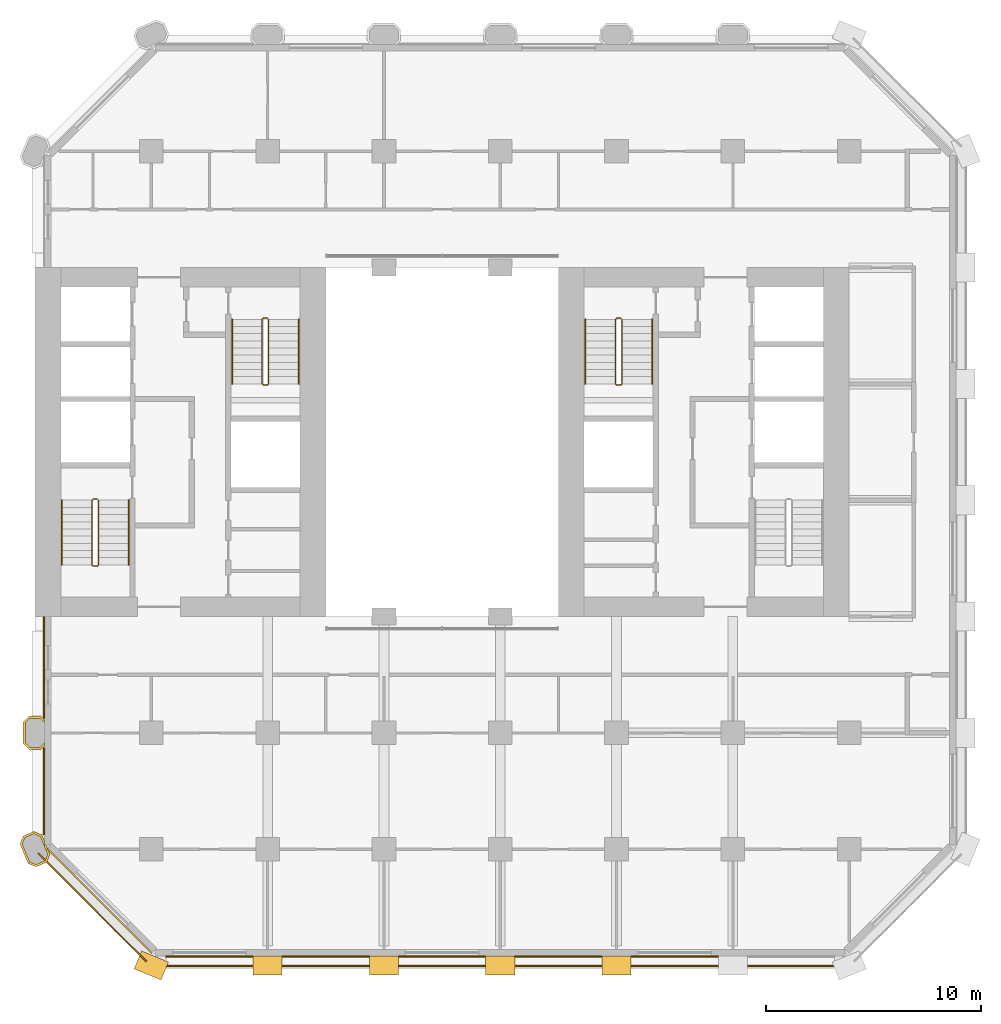
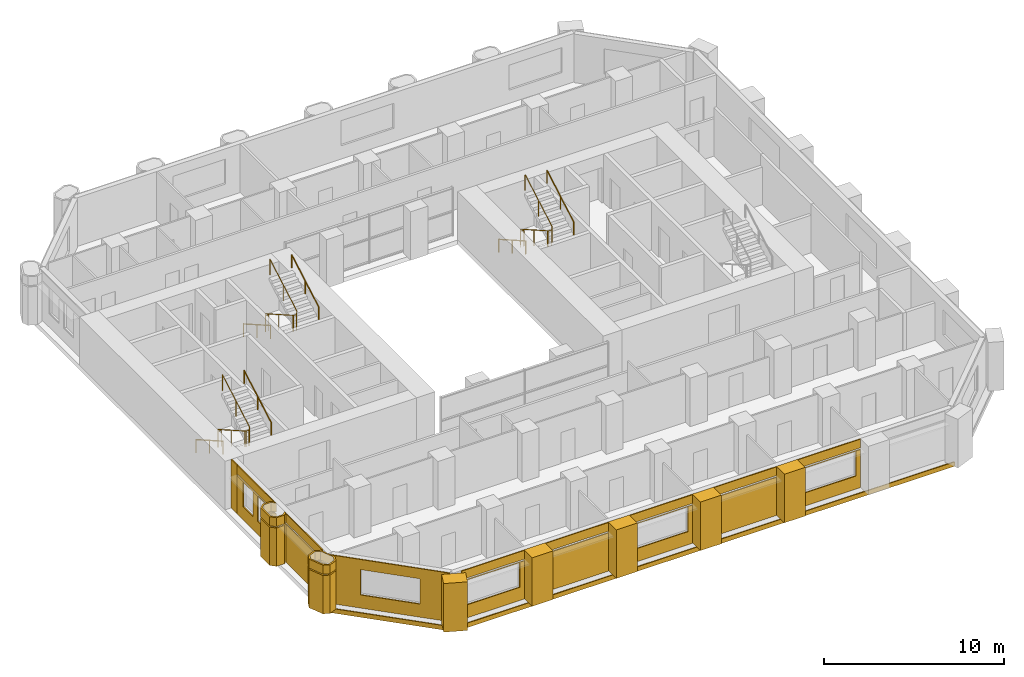
# One storey, part 12 of 13: 27 coverings, 9 railings.
"""IFC4 building model written with IfcOpenShell, lengths in metres."""

from ifc_helpers import new_model, si_unit, direction, frame, frame_2d, origin, origin_2d, place, context, subcontext, project, spatial, polyline, rectangle, circle, outline, extrude, material, layer, layer_set, type_object, element, save


model = new_model("IFC4")

# Units and contexts
model_context = context("Model", 3, precision=1e-05, world=origin(), true_north=direction((0.0, 1.0)))
body_context = subcontext(model_context, "Body", "Model", "MODEL_VIEW")
ifc_project = project(units=[si_unit("LENGTHUNIT", "METRE"), si_unit("AREAUNIT", "SQUARE_METRE"), si_unit("VOLUMEUNIT", "CUBIC_METRE"), si_unit("PLANEANGLEUNIT", "RADIAN"), si_unit("MASSUNIT", "GRAM", prefix="KILO")], contexts=[model_context])

# Site, building, storey
site_placement = place(None, origin())
site = spatial("IfcSite", under=ifc_project, at=site_placement, CompositionType="ELEMENT")
building_placement = place(site_placement, origin())
building = spatial("IfcBuilding", under=site, at=building_placement, Name="Tabaq Tower and Sports Hall", CompositionType="ELEMENT")
storey_placement = place(building_placement, frame((0.0, 0.0, 56.39990234375)))
storey = spatial("IfcBuildingStorey", under=building, at=storey_placement, Name="L12", CompositionType="ELEMENT", Elevation=56.39990234375)

# Coverings
ifc_material_1 = material(Name="Precast concrete C60/75", Category="concrete")
ifc_layer_1 = layer(ifc_material_1, 0.10009765625)
ifc_layer_set_1 = layer_set([ifc_layer_1], Name="Column cladding 100")
covering_type_1 = type_object("IfcCoveringType", Name="Column cladding 100", PredefinedType="CLADDING", material=ifc_layer_set_1)
covering_1_placement = place(storey_placement, origin())
element("IfcCovering", 1, at=covering_1_placement, inside=storey, type_object=covering_type_1, Name="Column cladding L12 PC-2B-O1", PredefinedType="CLADDING", context=body_context, shape_type="SweptSolid", body=[
    extrude(outline(polyline([(5.450439453125, 4.582275390625), (5.080078125, 4.73583984375), (4.7041015625, 5.6435546875), (4.857421875, 6.013916015625), (5.349609375, 6.217529296875), (5.7197265625, 6.064208984375), (5.849609375, 5.750732421875), (5.849609375, 5.586181640625), (5.91796875, 5.586181640625), (5.9814453125, 5.432373046875), (5.9501953125, 5.401123046875), (6.026123046875, 5.3251953125), (6.095947265625, 5.156494140625), (5.9423828125, 4.7861328125), (5.450439453125, 4.582275390625)]), holes=[polyline([(5.349609375, 6.110107421875), (4.93359375, 5.937744140625), (4.811767578125, 5.6435546875), (5.15625, 4.811767578125), (5.450439453125, 4.68994140625), (5.866455078125, 4.8623046875), (5.98828125, 5.156494140625), (5.643798828125, 5.98828125), (5.349609375, 6.110107421875)])]), origin(), (0.0, 0.0, 1.0), 2.60009765625),
])
covering_2_placement = place(storey_placement, frame((0.0, 0.0, 2.7001953125)))
element("IfcCovering", 2, at=covering_2_placement, inside=storey, type_object=covering_type_1, Name="Column cladding L12 PC-2B-O1 2", PredefinedType="CLADDING", context=body_context, shape_type="SweptSolid", body=[
    extrude(outline(polyline([(5.450439453125, 4.582275390625), (5.080078125, 4.73583984375), (4.7041015625, 5.6435546875), (4.857421875, 6.013916015625), (5.349609375, 6.217529296875), (5.7197265625, 6.064208984375), (5.849609375, 5.750732421875), (5.849609375, 5.586181640625), (5.91796875, 5.586181640625), (5.9814453125, 5.432373046875), (5.9501953125, 5.401123046875), (6.026123046875, 5.3251953125), (6.095947265625, 5.156494140625), (5.9423828125, 4.7861328125), (5.450439453125, 4.582275390625)]), holes=[polyline([(5.349609375, 6.110107421875), (4.93359375, 5.937744140625), (4.811767578125, 5.6435546875), (5.15625, 4.811767578125), (5.450439453125, 4.68994140625), (5.866455078125, 4.8623046875), (5.98828125, 5.156494140625), (5.643798828125, 5.98828125), (5.349609375, 6.110107421875)])]), origin(), (0.0, 0.0, 1.0), 0.599853515625),
])
covering_3_placement = place(storey_placement, origin())
element("IfcCovering", 3, at=covering_3_placement, inside=storey, type_object=covering_type_1, Name="Column cladding L12 PC-2C-O1", PredefinedType="CLADDING", context=body_context, shape_type="SweptSolid", body=[
    extrude(outline(polyline([(5.1337890625, 10.025390625), (4.850341796875, 10.30859375), (4.850341796875, 11.291259765625), (5.1337890625, 11.57470703125), (5.666259765625, 11.57470703125), (5.849609375, 11.391357421875), (5.849609375, 11.250732421875), (5.625244140625, 11.475341796875), (5.1748046875, 11.475341796875), (4.94970703125, 11.250244140625), (4.94970703125, 10.349853515625), (5.1748046875, 10.124755859375), (5.625244140625, 10.124755859375), (5.849609375, 10.349365234375), (5.849609375, 10.208740234375), (5.666259765625, 10.025390625), (5.1337890625, 10.025390625)])), origin(), (0.0, 0.0, 1.0), 2.60009765625),
])
covering_4_placement = place(storey_placement, frame((0.0, 0.0, 2.7001953125)))
element("IfcCovering", 4, at=covering_4_placement, inside=storey, type_object=covering_type_1, Name="Column cladding L12 PC-2C-O1 2", PredefinedType="CLADDING", context=body_context, shape_type="SweptSolid", body=[
    extrude(outline(polyline([(5.1337890625, 10.025390625), (4.850341796875, 10.30859375), (4.850341796875, 11.291259765625), (5.1337890625, 11.57470703125), (5.666259765625, 11.57470703125), (5.849609375, 11.391357421875), (5.849609375, 11.250732421875), (5.625244140625, 11.475341796875), (5.1748046875, 11.475341796875), (4.94970703125, 11.250244140625), (4.94970703125, 10.349853515625), (5.1748046875, 10.124755859375), (5.625244140625, 10.124755859375), (5.849609375, 10.349365234375), (5.849609375, 10.208740234375), (5.666259765625, 10.025390625), (5.1337890625, 10.025390625)])), origin(), (0.0, 0.0, 1.0), 0.599853515625),
])
ifc_material_2 = material(Name="Precast concrete C60/75", Category="concrete")
ifc_layer_2 = layer(ifc_material_2, 0.06005859375)
ifc_layer_set_2 = layer_set([ifc_layer_2], Name="Edge beam cladding 60")
covering_type_2 = type_object("IfcCoveringType", Name="Edge beam cladding 60", PredefinedType="CLADDING", material=ifc_layer_set_2)
covering_5_placement = place(storey_placement, frame((11.0986328125, -0.030029296875, -0.2998046875), z_axis=(0.0, 0.0, 1.0), x_axis=(1.0, 0.0, 0.0)))
element("IfcCovering", 5, at=covering_5_placement, inside=storey, type_object=covering_type_2, Name="Edge beam cladding L12 1", PredefinedType="CLADDING", context=body_context, shape_type="SweptSolid", body=[
    extrude(rectangle(XDim=31.802734375, YDim=0.06005859375, at=frame_2d((15.9013671875, 0.0))), origin(), (0.0, 0.0, 1.0), 0.2998046875),
])
covering_6_placement = place(storey_placement, frame((5.5556640625, 5.201904296875, -0.2998046875), z_axis=(0.0, 0.0, 1.0), x_axis=(0.707106781187, -0.707106781187, 0.0)))
element("IfcCovering", 6, at=covering_6_placement, inside=storey, type_object=covering_type_2, Name="Edge beam cladding L12 5", PredefinedType="CLADDING", context=body_context, shape_type="SweptSolid", body=[
    extrude(rectangle(XDim=7.087890625, YDim=0.06005859375, at=frame_2d((3.5439453125, 0.0))), origin(), (0.0, 0.0, 1.0), 0.2998046875),
])
ifc_material_3 = material(Name="White precast concrete C60/75", Category="concrete")
covering_type_3 = type_object("IfcCoveringType", Name="Pier cladding hung 1350x900", PredefinedType="CLADDING", material=ifc_material_3)
for number, where, z_axis, x_axis, name in (
    (7, (10.17626953125, 0.25830078125, 0.0), (0.0, 0.0, 1.0), (0.923893411637, -0.382649923473, 0.0), "Hung pier cladding 2/0"),
    (8, (15.52490234375, 0.0, 0.0), (0.0, 0.0, 1.0), (1.0, 0.0, 0.0), "Hung pier cladding 3/0"),
):
    element("IfcCovering", number, at=place(storey_placement, frame(where, z_axis=z_axis, x_axis=x_axis)), inside=storey, type_object=covering_type_3, Name=name, PredefinedType="CLADDING", context=body_context, shape_type="SweptSolid", body=[
        extrude(rectangle(XDim=1.35009765625, YDim=0.89990234375, at=frame_2d((0.675048828125, 0.0))), origin(), (0.0, 0.0, 1.0), 3.300048828125),
    ])
covering_7_placement = place(storey_placement, frame((20.925048828125, 0.0, 0.0), z_axis=(0.0, 0.0, 1.0), x_axis=(1.0, 0.0, 0.0)))
element("IfcCovering", 9, at=covering_7_placement, inside=storey, type_object=covering_type_3, Name="Hung pier cladding 4/0", PredefinedType="CLADDING", context=body_context, shape_type="SweptSolid", body=[
    extrude(rectangle(XDim=1.349853515625, YDim=0.89990234375, at=frame_2d((0.6748046875, 0.0))), origin(), (0.0, 0.0, 1.0), 3.300048828125),
])
covering_8_placement = place(storey_placement, frame((26.324951171875, 0.0, 0.0), z_axis=(0.0, 0.0, 1.0), x_axis=(1.0, 0.0, 0.0)))
element("IfcCovering", 10, at=covering_8_placement, inside=storey, type_object=covering_type_3, Name="Hung pier cladding 5/0", PredefinedType="CLADDING", context=body_context, shape_type="SweptSolid", body=[
    extrude(rectangle(XDim=1.35009765625, YDim=0.89990234375, at=frame_2d((0.675048828125, 0.0))), origin(), (0.0, 0.0, 1.0), 3.300048828125),
])
covering_9_placement = place(storey_placement, frame((31.72509765625, 0.0, 0.0), z_axis=(0.0, 0.0, 1.0), x_axis=(1.0, 0.0, 0.0)))
element("IfcCovering", 11, at=covering_9_placement, inside=storey, type_object=covering_type_3, Name="Hung pier cladding 6/0", PredefinedType="CLADDING", context=body_context, shape_type="SweptSolid", body=[
    extrude(rectangle(XDim=1.349853515625, YDim=0.89990234375, at=frame_2d((0.6748046875, 0.0))), origin(), (0.0, 0.0, 1.0), 3.300048828125),
])

# Railings
ifc_material_4 = material(Name="Stainless steel", Category="steel")
railing_type_1 = type_object("IfcRailingType", Name="Stair guard", PredefinedType="GUARDRAIL", material=ifc_material_4)
railing_1_placement = place(storey_placement, frame((8.300048828125, 21.64990234375, 0.0)))
element("IfcRailing", 12, at=railing_1_placement, inside=storey, type_object=railing_type_1, Name="L12 ST1 stair guard 1", PredefinedType="GUARDRAIL", context=body_context, shape_type="SweptSolid", body=[
    extrude(circle(Radius=0.02392578125, at=origin_2d()), frame((0.0, 0.0, 1.076171875), z_axis=(-1.0, 0.0, 0.0), x_axis=(0.0, -1.0, 0.0)), (0.0, 0.0, 1.0), 0.199951171875),
    extrude(circle(Radius=0.02392578125, at=origin_2d()), frame((-0.199951171875, 0.0, 1.076171875), z_axis=(-0.246704845944, -0.245501407671, 0.937478414588), x_axis=(0.705375805398, -0.708833529934, 0.0)), (0.0, 0.0, 1.0), 0.202880859375),
    extrude(circle(Radius=0.02392578125, at=origin_2d()), frame((-0.25, -0.0498046875, 1.26611328125), z_axis=(0.0, -0.868782136927, 0.495194505781), x_axis=(1.0, 0.0, 0.0)), (0.0, 0.0, 1.0), 3.453125),
    extrude(circle(Radius=0.02392578125, at=origin_2d()), frame((-0.25, -3.0498046875, 2.97607421875), z_axis=(0.707106781187, -0.707106781187, 0.0), x_axis=(0.707106781187, 0.707106781187, 0.0)), (0.0, 0.0, 1.0), 0.07080078125),
    extrude(circle(Radius=0.02392578125, at=origin_2d()), frame((-0.199951171875, -3.099853515625, 2.97607421875), z_axis=(1.0, 0.0, 0.0), x_axis=(0.0, 1.0, 0.0)), (0.0, 0.0, 1.0), 0.199951171875),
    extrude(circle(Radius=0.02392578125, at=origin_2d()), frame((0.0, -3.099853515625, 2.97607421875), z_axis=(0.246910188598, 0.246910188598, 0.937054276727), x_axis=(-0.707106781187, 0.707106781187, 0.0)), (0.0, 0.0, 1.0), 0.20263671875),
    extrude(circle(Radius=0.02392578125, at=origin_2d()), frame((0.050048828125, -3.0498046875, 3.166015625), z_axis=(0.0, 0.868782136927, 0.495194505781), x_axis=(-1.0, 0.0, 0.0)), (0.0, 0.0, 1.0), 3.453125),
    extrude(circle(Radius=0.02099609375, at=origin_2d()), origin(), (0.0, 0.0, 1.0), 1.052001953125),
    extrude(circle(Radius=0.02099609375, at=origin_2d()), frame((-0.199951171875, 0.0, 0.0)), (0.0, 0.0, 1.0), 1.052001953125),
    extrude(circle(Radius=0.02099609375, at=origin_2d()), frame((-0.25, -0.0498046875, 0.190185546875)), (0.0, 0.0, 1.0), 1.052001953125),
    extrude(circle(Radius=0.02099609375, at=origin_2d()), frame((-0.25, -1.5498046875, 1.045166015625)), (0.0, 0.0, 1.0), 1.052001953125),
    extrude(circle(Radius=0.02099609375, at=origin_2d()), frame((-0.25, -3.0498046875, 1.900146484375)), (0.0, 0.0, 1.0), 1.052001953125),
    extrude(circle(Radius=0.02099609375, at=origin_2d()), frame((-0.199951171875, -3.099853515625, 1.900146484375)), (0.0, 0.0, 1.0), 1.052001953125),
    extrude(circle(Radius=0.02099609375, at=origin_2d()), frame((0.0, -3.099853515625, 1.900146484375)), (0.0, 0.0, 1.0), 1.052001953125),
    extrude(circle(Radius=0.02099609375, at=origin_2d()), frame((0.050048828125, -3.0498046875, 2.090087890625)), (0.0, 0.0, 1.0), 1.052001953125),
    extrude(circle(Radius=0.02099609375, at=origin_2d()), frame((0.050048828125, -1.5498046875, 2.945068359375)), (0.0, 0.0, 1.0), 1.052001953125),
    extrude(circle(Radius=0.02099609375, at=origin_2d()), frame((0.050048828125, -0.0498046875, 3.800048828125)), (0.0, 0.0, 1.0), 1.052001953125),
])
railing_2_placement = place(storey_placement, frame((16.199951171875, 30.050048828125, 0.0)))
element("IfcRailing", 13, at=railing_2_placement, inside=storey, type_object=railing_type_1, Name="L12 ST2 stair guard 1", PredefinedType="GUARDRAIL", context=body_context, shape_type="SweptSolid", body=[
    extrude(circle(Radius=0.02392578125, at=origin_2d()), frame((0.0, 0.0, 1.076171875), z_axis=(-1.0, 0.0, 0.0), x_axis=(0.0, -1.0, 0.0)), (0.0, 0.0, 1.0), 0.199951171875),
    extrude(circle(Radius=0.02392578125, at=origin_2d()), frame((-0.199951171875, 0.0, 1.076171875), z_axis=(-0.246631811833, -0.246631811833, 0.937200884967), x_axis=(0.707106781187, -0.707106781187, 0.0)), (0.0, 0.0, 1.0), 0.202880859375),
    extrude(circle(Radius=0.02392578125, at=origin_2d()), frame((-0.25, -0.050048828125, 1.26611328125), z_axis=(0.0, -0.868782136927, 0.495194505781), x_axis=(1.0, 0.0, 0.0)), (0.0, 0.0, 1.0), 3.453125),
    extrude(circle(Radius=0.02392578125, at=origin_2d()), frame((-0.25, -3.050048828125, 2.97607421875), z_axis=(0.707106781187, -0.707106781187, 0.0), x_axis=(0.707106781187, 0.707106781187, 0.0)), (0.0, 0.0, 1.0), 0.07080078125),
    extrude(circle(Radius=0.02392578125, at=origin_2d()), frame((-0.199951171875, -3.10009765625, 2.97607421875), z_axis=(1.0, 0.0, 0.0), x_axis=(0.0, 1.0, 0.0)), (0.0, 0.0, 1.0), 0.199951171875),
    extrude(circle(Radius=0.02392578125, at=origin_2d()), frame((0.0, -3.10009765625, 2.97607421875), z_axis=(0.246910188598, 0.246910188598, 0.937054276727), x_axis=(-0.707106781187, 0.707106781187, 0.0)), (0.0, 0.0, 1.0), 0.20263671875),
    extrude(circle(Radius=0.02392578125, at=origin_2d()), frame((0.050048828125, -3.050048828125, 3.166015625), z_axis=(0.0, 0.868782136927, 0.495194505781), x_axis=(-1.0, 0.0, 0.0)), (0.0, 0.0, 1.0), 3.453125),
    extrude(circle(Radius=0.02099609375, at=origin_2d()), origin(), (0.0, 0.0, 1.0), 1.052001953125),
    extrude(circle(Radius=0.02099609375, at=origin_2d()), frame((-0.199951171875, 0.0, 0.0)), (0.0, 0.0, 1.0), 1.052001953125),
    extrude(circle(Radius=0.02099609375, at=origin_2d()), frame((-0.25, -0.050048828125, 0.190185546875)), (0.0, 0.0, 1.0), 1.052001953125),
    extrude(circle(Radius=0.02099609375, at=origin_2d()), frame((-0.25, -1.550048828125, 1.045166015625)), (0.0, 0.0, 1.0), 1.052001953125),
    extrude(circle(Radius=0.02099609375, at=origin_2d()), frame((-0.25, -3.050048828125, 1.900146484375)), (0.0, 0.0, 1.0), 1.052001953125),
    extrude(circle(Radius=0.02099609375, at=origin_2d()), frame((-0.199951171875, -3.10009765625, 1.900146484375)), (0.0, 0.0, 1.0), 1.052001953125),
    extrude(circle(Radius=0.02099609375, at=origin_2d()), frame((0.0, -3.10009765625, 1.900146484375)), (0.0, 0.0, 1.0), 1.052001953125),
    extrude(circle(Radius=0.02099609375, at=origin_2d()), frame((0.050048828125, -3.050048828125, 2.090087890625)), (0.0, 0.0, 1.0), 1.052001953125),
    extrude(circle(Radius=0.02099609375, at=origin_2d()), frame((0.050048828125, -1.550048828125, 2.945068359375)), (0.0, 0.0, 1.0), 1.052001953125),
    extrude(circle(Radius=0.02099609375, at=origin_2d()), frame((0.050048828125, -0.050048828125, 3.800048828125)), (0.0, 0.0, 1.0), 1.052001953125),
])
railing_3_placement = place(storey_placement, frame((32.60009765625, 30.050048828125, 0.0)))
element("IfcRailing", 14, at=railing_3_placement, inside=storey, type_object=railing_type_1, Name="L12 ST4 stair guard 1", PredefinedType="GUARDRAIL", context=body_context, shape_type="SweptSolid", body=[
    extrude(circle(Radius=0.02392578125, at=origin_2d()), frame((0.0, 0.0, 1.076171875), z_axis=(-1.0, 0.0, 0.0), x_axis=(0.0, -1.0, 0.0)), (0.0, 0.0, 1.0), 0.2001953125),
    extrude(circle(Radius=0.02392578125, at=origin_2d()), frame((-0.2001953125, 0.0, 1.076171875), z_axis=(-0.245501407671, -0.246704845944, 0.937478414588), x_axis=(0.708833529934, -0.705375805398, 0.0)), (0.0, 0.0, 1.0), 0.202880859375),
    extrude(circle(Radius=0.02392578125, at=origin_2d()), frame((-0.25, -0.050048828125, 1.26611328125), z_axis=(0.0, -0.868782136927, 0.495194505781), x_axis=(1.0, 0.0, 0.0)), (0.0, 0.0, 1.0), 3.453125),
    extrude(circle(Radius=0.02392578125, at=origin_2d()), frame((-0.25, -3.050048828125, 2.97607421875), z_axis=(0.705375805398, -0.708833529934, 0.0), x_axis=(0.708833529934, 0.705375805398, 0.0)), (0.0, 0.0, 1.0), 0.070556640625),
    extrude(circle(Radius=0.02392578125, at=origin_2d()), frame((-0.2001953125, -3.10009765625, 2.97607421875), z_axis=(1.0, 0.0, 0.0), x_axis=(0.0, 1.0, 0.0)), (0.0, 0.0, 1.0), 0.2001953125),
    extrude(circle(Radius=0.02392578125, at=origin_2d()), frame((0.0, -3.10009765625, 2.97607421875), z_axis=(0.245778672949, 0.246983470365, 0.937332389972), x_axis=(-0.708833529934, 0.705375805398, 0.0)), (0.0, 0.0, 1.0), 0.20263671875),
    extrude(circle(Radius=0.02392578125, at=origin_2d()), frame((0.0498046875, -3.050048828125, 3.166015625), z_axis=(0.0, 0.868782136927, 0.495194505781), x_axis=(-1.0, 0.0, 0.0)), (0.0, 0.0, 1.0), 3.453125),
    extrude(circle(Radius=0.02099609375, at=origin_2d()), origin(), (0.0, 0.0, 1.0), 1.052001953125),
    extrude(circle(Radius=0.02099609375, at=origin_2d()), frame((-0.2001953125, 0.0, 0.0)), (0.0, 0.0, 1.0), 1.052001953125),
    extrude(circle(Radius=0.02099609375, at=origin_2d()), frame((-0.25, -0.050048828125, 0.190185546875)), (0.0, 0.0, 1.0), 1.052001953125),
    extrude(circle(Radius=0.02099609375, at=origin_2d()), frame((-0.25, -1.550048828125, 1.045166015625)), (0.0, 0.0, 1.0), 1.052001953125),
    extrude(circle(Radius=0.02099609375, at=origin_2d()), frame((-0.25, -3.050048828125, 1.900146484375)), (0.0, 0.0, 1.0), 1.052001953125),
    extrude(circle(Radius=0.02099609375, at=origin_2d()), frame((-0.2001953125, -3.10009765625, 1.900146484375)), (0.0, 0.0, 1.0), 1.052001953125),
    extrude(circle(Radius=0.02099609375, at=origin_2d()), frame((0.0, -3.10009765625, 1.900146484375)), (0.0, 0.0, 1.0), 1.052001953125),
    extrude(circle(Radius=0.02099609375, at=origin_2d()), frame((0.0498046875, -3.050048828125, 2.090087890625)), (0.0, 0.0, 1.0), 1.052001953125),
    extrude(circle(Radius=0.02099609375, at=origin_2d()), frame((0.0498046875, -1.550048828125, 2.945068359375)), (0.0, 0.0, 1.0), 1.052001953125),
    extrude(circle(Radius=0.02099609375, at=origin_2d()), frame((0.0498046875, -0.050048828125, 3.800048828125)), (0.0, 0.0, 1.0), 1.052001953125),
])
ifc_material_5 = material(Name="Stainless steel", Category="steel")
railing_type_2 = type_object("IfcRailingType", Name="Stair handrail", PredefinedType="HANDRAIL", material=ifc_material_5)
railing_4_placement = place(storey_placement, frame((6.64990234375, 21.60009765625, 0.190185546875)))
element("IfcRailing", 15, at=railing_4_placement, inside=storey, type_object=railing_type_2, Name="L12 ST1 stair handrail 1", PredefinedType="HANDRAIL", context=body_context, shape_type="SweptSolid", body=[
    extrude(circle(Radius=0.02392578125, at=origin_2d()), frame((0.0, 0.0, 0.8759765625), z_axis=(0.0, -0.868782136927, 0.495194505781), x_axis=(1.0, 0.0, 0.0)), (0.0, 0.0, 1.0), 3.453125),
    extrude(circle(Radius=0.02099609375, at=origin_2d()), origin(), (0.0, 0.0, 1.0), 0.851806640625),
    extrude(circle(Radius=0.02099609375, at=origin_2d()), frame((0.0, -1.5, 0.85498046875)), (0.0, 0.0, 1.0), 0.851806640625),
    extrude(circle(Radius=0.02099609375, at=origin_2d()), frame((0.0, -3.0, 1.7099609375)), (0.0, 0.0, 1.0), 0.851806640625),
])
railing_5_placement = place(storey_placement, frame((9.75, 18.60009765625, 2.090087890625)))
element("IfcRailing", 16, at=railing_5_placement, inside=storey, type_object=railing_type_2, Name="L12 ST1 stair handrail 2", PredefinedType="HANDRAIL", context=body_context, shape_type="SweptSolid", body=[
    extrude(circle(Radius=0.02392578125, at=origin_2d()), frame((0.0, 0.0, 0.8759765625), z_axis=(0.0, 0.868782136927, 0.495194505781), x_axis=(-1.0, 0.0, 0.0)), (0.0, 0.0, 1.0), 3.453125),
    extrude(circle(Radius=0.02099609375, at=origin_2d()), origin(), (0.0, 0.0, 1.0), 0.851806640625),
    extrude(circle(Radius=0.02099609375, at=origin_2d()), frame((0.0, 1.5, 0.85498046875)), (0.0, 0.0, 1.0), 0.851806640625),
    extrude(circle(Radius=0.02099609375, at=origin_2d()), frame((0.0, 3.0, 1.7099609375)), (0.0, 0.0, 1.0), 0.851806640625),
])
railing_6_placement = place(storey_placement, frame((14.550048828125, 30.0, 0.190185546875)))
element("IfcRailing", 17, at=railing_6_placement, inside=storey, type_object=railing_type_2, Name="L12 ST2 stair handrail 1", PredefinedType="HANDRAIL", context=body_context, shape_type="SweptSolid", body=[
    extrude(circle(Radius=0.02392578125, at=origin_2d()), frame((0.0, 0.0, 0.8759765625), z_axis=(0.0, -0.868782136927, 0.495194505781), x_axis=(1.0, 0.0, 0.0)), (0.0, 0.0, 1.0), 3.453125),
    extrude(circle(Radius=0.02099609375, at=origin_2d()), origin(), (0.0, 0.0, 1.0), 0.851806640625),
    extrude(circle(Radius=0.02099609375, at=origin_2d()), frame((0.0, -1.5, 0.85498046875)), (0.0, 0.0, 1.0), 0.851806640625),
    extrude(circle(Radius=0.02099609375, at=origin_2d()), frame((0.0, -3.0, 1.7099609375)), (0.0, 0.0, 1.0), 0.851806640625),
])
railing_7_placement = place(storey_placement, frame((17.64990234375, 27.0, 2.090087890625)))
element("IfcRailing", 18, at=railing_7_placement, inside=storey, type_object=railing_type_2, Name="L12 ST2 stair handrail 2", PredefinedType="HANDRAIL", context=body_context, shape_type="SweptSolid", body=[
    extrude(circle(Radius=0.02392578125, at=origin_2d()), frame((0.0, 0.0, 0.8759765625), z_axis=(0.0, 0.868782136927, 0.495194505781), x_axis=(-1.0, 0.0, 0.0)), (0.0, 0.0, 1.0), 3.453125),
    extrude(circle(Radius=0.02099609375, at=origin_2d()), origin(), (0.0, 0.0, 1.0), 0.851806640625),
    extrude(circle(Radius=0.02099609375, at=origin_2d()), frame((0.0, 1.5, 0.85498046875)), (0.0, 0.0, 1.0), 0.851806640625),
    extrude(circle(Radius=0.02099609375, at=origin_2d()), frame((0.0, 3.0, 1.7099609375)), (0.0, 0.0, 1.0), 0.851806640625),
])
railing_8_placement = place(storey_placement, frame((30.949951171875, 30.0, 0.190185546875)))
element("IfcRailing", 19, at=railing_8_placement, inside=storey, type_object=railing_type_2, Name="L12 ST4 stair handrail 1", PredefinedType="HANDRAIL", context=body_context, shape_type="SweptSolid", body=[
    extrude(circle(Radius=0.02392578125, at=origin_2d()), frame((0.0, 0.0, 0.8759765625), z_axis=(0.0, -0.868782136927, 0.495194505781), x_axis=(1.0, 0.0, 0.0)), (0.0, 0.0, 1.0), 3.453125),
    extrude(circle(Radius=0.02099609375, at=origin_2d()), origin(), (0.0, 0.0, 1.0), 0.851806640625),
    extrude(circle(Radius=0.02099609375, at=origin_2d()), frame((0.0, -1.5, 0.85498046875)), (0.0, 0.0, 1.0), 0.851806640625),
    extrude(circle(Radius=0.02099609375, at=origin_2d()), frame((0.0, -3.0, 1.7099609375)), (0.0, 0.0, 1.0), 0.851806640625),
])
railing_9_placement = place(storey_placement, frame((34.050048828125, 27.0, 2.090087890625)))
element("IfcRailing", 20, at=railing_9_placement, inside=storey, type_object=railing_type_2, Name="L12 ST4 stair handrail 2", PredefinedType="HANDRAIL", context=body_context, shape_type="SweptSolid", body=[
    extrude(circle(Radius=0.02392578125, at=origin_2d()), frame((0.0, 0.0, 0.8759765625), z_axis=(0.0, 0.868782136927, 0.495194505781), x_axis=(-1.0, 0.0, 0.0)), (0.0, 0.0, 1.0), 3.453125),
    extrude(circle(Radius=0.02099609375, at=origin_2d()), origin(), (0.0, 0.0, 1.0), 0.851806640625),
    extrude(circle(Radius=0.02099609375, at=origin_2d()), frame((0.0, 1.5, 0.85498046875)), (0.0, 0.0, 1.0), 0.851806640625),
    extrude(circle(Radius=0.02099609375, at=origin_2d()), frame((0.0, 3.0, 1.7099609375)), (0.0, 0.0, 1.0), 0.851806640625),
])

# Coverings
ifc_material_6 = material(Name="Precast concrete C60/75", Category="concrete")
ifc_layer_3 = layer(ifc_material_6, 0.06005859375)
ifc_layer_set_3 = layer_set([ifc_layer_3], Name="White precast cladding panel 60 C60/75")
covering_type_4 = type_object("IfcCoveringType", Name="White precast cladding panel 60 C60/75", PredefinedType="CLADDING", material=ifc_layer_set_3)
covering_10_placement = place(storey_placement, frame((11.465087890625, 0.419921875, 0.0), z_axis=(0.0, 0.0, 1.0), x_axis=(1.0, 0.0, 0.0)))
element("IfcCovering", 21, at=covering_10_placement, inside=storey, type_object=covering_type_4, Name="White precast cladding panel L12 wall00", PredefinedType="CLADDING", context=body_context, shape_type="SweptSolid", body=[
    extrude(outline(polyline([(0.0, 0.0), (4.0498046875, 0.0), (4.0498046875, 2.590087890625), (0.0, 2.590087890625), (0.0, 0.0)]), holes=[polyline([(3.7451171875, 0.89013671875), (0.324951171875, 0.89013671875), (0.324951171875, 2.56005859375), (3.7451171875, 2.56005859375), (3.7451171875, 0.89013671875)])]), frame((0.0, 0.030029296875, 0.0), z_axis=(0.0, -1.0, 0.0), x_axis=(1.0, 0.0, 0.0)), (0.0, 0.0, 1.0), 0.06005859375),
])
covering_11_placement = place(storey_placement, frame((11.465087890625, 0.419921875, 2.710205078125), z_axis=(0.0, 0.0, 1.0), x_axis=(1.0, 0.0, 0.0)))
element("IfcCovering", 22, at=covering_11_placement, inside=storey, type_object=covering_type_4, Name="White precast cladding panel L12 wall00 2", PredefinedType="CLADDING", context=body_context, shape_type="SweptSolid", body=[
    extrude(rectangle(XDim=4.0498046875, YDim=0.06005859375, at=frame_2d((2.02490234375, 0.0))), origin(), (0.0, 0.0, 1.0), 0.58984375),
])
covering_12_placement = place(storey_placement, frame((16.885009765625, 0.419921875, 0.0), z_axis=(0.0, 0.0, 1.0), x_axis=(1.0, 0.0, 0.0)))
element("IfcCovering", 23, at=covering_12_placement, inside=storey, type_object=covering_type_4, Name="White precast cladding panel L12 wall00 3", PredefinedType="CLADDING", context=body_context, shape_type="SweptSolid", body=[
    extrude(rectangle(XDim=4.030029296875, YDim=0.06005859375, at=frame_2d((2.01513671875, 0.0))), origin(), (0.0, 0.0, 1.0), 2.590087890625),
])
covering_13_placement = place(storey_placement, frame((16.885009765625, 0.419921875, 2.710205078125), z_axis=(0.0, 0.0, 1.0), x_axis=(1.0, 0.0, 0.0)))
element("IfcCovering", 24, at=covering_13_placement, inside=storey, type_object=covering_type_4, Name="White precast cladding panel L12 wall00 4", PredefinedType="CLADDING", context=body_context, shape_type="SweptSolid", body=[
    extrude(rectangle(XDim=4.030029296875, YDim=0.06005859375, at=frame_2d((2.01513671875, 0.0))), origin(), (0.0, 0.0, 1.0), 0.58984375),
])
covering_14_placement = place(storey_placement, frame((22.284912109375, 0.419921875, 0.0), z_axis=(0.0, 0.0, 1.0), x_axis=(1.0, 0.0, 0.0)))
element("IfcCovering", 25, at=covering_14_placement, inside=storey, type_object=covering_type_4, Name="White precast cladding panel L12 wall00 5", PredefinedType="CLADDING", context=body_context, shape_type="SweptSolid", body=[
    extrude(outline(polyline([(0.0, 0.0), (4.030029296875, 0.0), (4.030029296875, 2.590087890625), (0.0, 2.590087890625), (0.0, 0.0)]), holes=[polyline([(3.72509765625, 0.89013671875), (0.304931640625, 0.89013671875), (0.304931640625, 2.56005859375), (3.72509765625, 2.56005859375), (3.72509765625, 0.89013671875)])]), frame((0.0, 0.030029296875, 0.0), z_axis=(0.0, -1.0, 0.0), x_axis=(1.0, 0.0, 0.0)), (0.0, 0.0, 1.0), 0.06005859375),
])
covering_15_placement = place(storey_placement, frame((22.284912109375, 0.419921875, 2.710205078125), z_axis=(0.0, 0.0, 1.0), x_axis=(1.0, 0.0, 0.0)))
element("IfcCovering", 26, at=covering_15_placement, inside=storey, type_object=covering_type_4, Name="White precast cladding panel L12 wall00 6", PredefinedType="CLADDING", context=body_context, shape_type="SweptSolid", body=[
    extrude(rectangle(XDim=4.030029296875, YDim=0.06005859375, at=frame_2d((2.01513671875, 0.0))), origin(), (0.0, 0.0, 1.0), 0.58984375),
])
covering_16_placement = place(storey_placement, frame((27.68505859375, 0.419921875, 0.0), z_axis=(0.0, 0.0, 1.0), x_axis=(1.0, 0.0, 0.0)))
element("IfcCovering", 27, at=covering_16_placement, inside=storey, type_object=covering_type_4, Name="White precast cladding panel L12 wall00 7", PredefinedType="CLADDING", context=body_context, shape_type="SweptSolid", body=[
    extrude(rectangle(XDim=4.030029296875, YDim=0.06005859375, at=frame_2d((2.01513671875, 0.0))), origin(), (0.0, 0.0, 1.0), 2.590087890625),
])
covering_17_placement = place(storey_placement, frame((27.68505859375, 0.419921875, 2.710205078125), z_axis=(0.0, 0.0, 1.0), x_axis=(1.0, 0.0, 0.0)))
element("IfcCovering", 28, at=covering_17_placement, inside=storey, type_object=covering_type_4, Name="White precast cladding panel L12 wall00 8", PredefinedType="CLADDING", context=body_context, shape_type="SweptSolid", body=[
    extrude(rectangle(XDim=4.030029296875, YDim=0.06005859375, at=frame_2d((2.01513671875, 0.0))), origin(), (0.0, 0.0, 1.0), 0.58984375),
])
covering_18_placement = place(storey_placement, frame((33.0849609375, 0.419921875, 0.0), z_axis=(0.0, 0.0, 1.0), x_axis=(1.0, 0.0, 0.0)))
element("IfcCovering", 29, at=covering_18_placement, inside=storey, type_object=covering_type_4, Name="White precast cladding panel L12 wall00 9", PredefinedType="CLADDING", context=body_context, shape_type="SweptSolid", body=[
    extrude(outline(polyline([(0.0, 0.0), (4.030029296875, 0.0), (4.030029296875, 2.590087890625), (0.0, 2.590087890625), (0.0, 0.0)]), holes=[polyline([(3.72509765625, 0.89013671875), (0.304931640625, 0.89013671875), (0.304931640625, 2.56005859375), (3.72509765625, 2.56005859375), (3.72509765625, 0.89013671875)])]), frame((0.0, 0.030029296875, 0.0), z_axis=(0.0, -1.0, 0.0), x_axis=(1.0, 0.0, 0.0)), (0.0, 0.0, 1.0), 0.06005859375),
])
covering_19_placement = place(storey_placement, frame((33.0849609375, 0.419921875, 2.710205078125), z_axis=(0.0, 0.0, 1.0), x_axis=(1.0, 0.0, 0.0)))
element("IfcCovering", 30, at=covering_19_placement, inside=storey, type_object=covering_type_4, Name="White precast cladding panel L12 wall00 10", PredefinedType="CLADDING", context=body_context, shape_type="SweptSolid", body=[
    extrude(rectangle(XDim=4.030029296875, YDim=0.06005859375, at=frame_2d((2.01513671875, 0.0))), origin(), (0.0, 0.0, 1.0), 0.58984375),
])
covering_20_placement = place(storey_placement, frame((5.820068359375, 16.199951171875, 0.0), z_axis=(0.0, 0.0, 1.0), x_axis=(0.0, -1.0, 0.0)))
element("IfcCovering", 31, at=covering_20_placement, inside=storey, type_object=covering_type_4, Name="White precast cladding panel L12 wall06-1", PredefinedType="CLADDING", context=body_context, shape_type="SweptSolid", body=[
    extrude(rectangle(XDim=0.6650390625, YDim=0.06005859375, at=frame_2d((0.33251953125, 0.0))), origin(), (0.0, 0.0, 1.0), 3.300048828125),
])
covering_21_placement = place(storey_placement, frame((5.820068359375, 15.534912109375, 0.0), z_axis=(0.0, 0.0, 1.0), x_axis=(0.0, -1.0, 0.0)))
element("IfcCovering", 32, at=covering_21_placement, inside=storey, type_object=covering_type_4, Name="White precast cladding panel L12 wall06-1 2", PredefinedType="CLADDING", context=body_context, shape_type="SweptSolid", body=[
    extrude(outline(polyline([(0.0, 0.0), (4.0498046875, 0.0), (4.0498046875, 2.590087890625), (0.0, 2.590087890625), (0.0, 0.0)]), holes=[polyline([(0.675048828125, 0.89013671875), (0.675048828125, 2.56005859375), (1.794921875, 2.56005859375), (1.794921875, 0.89013671875), (0.675048828125, 0.89013671875)]), polyline([(2.27490234375, 0.89013671875), (2.27490234375, 2.56005859375), (3.39501953125, 2.56005859375), (3.39501953125, 0.89013671875), (2.27490234375, 0.89013671875)])]), frame((0.0, 0.030029296875, 0.0), z_axis=(0.0, -1.0, 0.0), x_axis=(1.0, 0.0, 0.0)), (0.0, 0.0, 1.0), 0.06005859375),
])
covering_22_placement = place(storey_placement, frame((5.820068359375, 15.534912109375, 2.710205078125), z_axis=(0.0, 0.0, 1.0), x_axis=(0.0, -1.0, 0.0)))
element("IfcCovering", 33, at=covering_22_placement, inside=storey, type_object=covering_type_4, Name="White precast cladding panel L12 wall06-1 3", PredefinedType="CLADDING", context=body_context, shape_type="SweptSolid", body=[
    extrude(rectangle(XDim=4.0498046875, YDim=0.06005859375, at=frame_2d((2.02490234375, 0.0))), origin(), (0.0, 0.0, 1.0), 0.58984375),
])
covering_23_placement = place(storey_placement, frame((5.820068359375, 10.114990234375, 0.0), z_axis=(0.0, 0.0, 1.0), x_axis=(0.0, -1.0, 0.0)))
element("IfcCovering", 34, at=covering_23_placement, inside=storey, type_object=covering_type_4, Name="White precast cladding panel L12 wall06-1 4", PredefinedType="CLADDING", context=body_context, shape_type="SweptSolid", body=[
    extrude(rectangle(XDim=4.050048828125, YDim=0.06005859375, at=frame_2d((2.02490234375, 0.0))), origin(), (0.0, 0.0, 1.0), 2.590087890625),
])
covering_24_placement = place(storey_placement, frame((5.820068359375, 10.114990234375, 2.710205078125), z_axis=(0.0, 0.0, 1.0), x_axis=(0.0, -1.0, 0.0)))
element("IfcCovering", 35, at=covering_24_placement, inside=storey, type_object=covering_type_4, Name="White precast cladding panel L12 wall06-1 5", PredefinedType="CLADDING", context=body_context, shape_type="SweptSolid", body=[
    extrude(rectangle(XDim=4.050048828125, YDim=0.06005859375, at=frame_2d((2.02490234375, 0.0))), origin(), (0.0, 0.0, 1.0), 0.58984375),
])
covering_25_placement = place(storey_placement, frame((5.9716796875, 5.42236328125, 0.0), z_axis=(0.0, 0.0, 1.0), x_axis=(0.707106781187, -0.707106781187, 0.0)))
element("IfcCovering", 36, at=covering_25_placement, inside=storey, type_object=covering_type_4, Name="White precast cladding panel L12 wall07", PredefinedType="CLADDING", context=body_context, shape_type="SweptSolid", body=[
    extrude(outline(polyline([(0.0, 0.0), (6.85986328125, 0.0), (6.85986328125, 3.300048828125), (0.0, 3.300048828125), (0.0, 0.0)]), holes=[polyline([(1.7197265625, 0.89013671875), (1.7197265625, 2.610107421875), (5.139892578125, 2.610107421875), (5.139892578125, 0.89013671875), (1.7197265625, 0.89013671875)])]), frame((0.0, 0.030029296875, 0.0), z_axis=(0.0, -1.0, 0.0), x_axis=(1.0, 0.0, 0.0)), (0.0, 0.0, 1.0), 0.06005859375),
])

save(model, "model.ifc")
